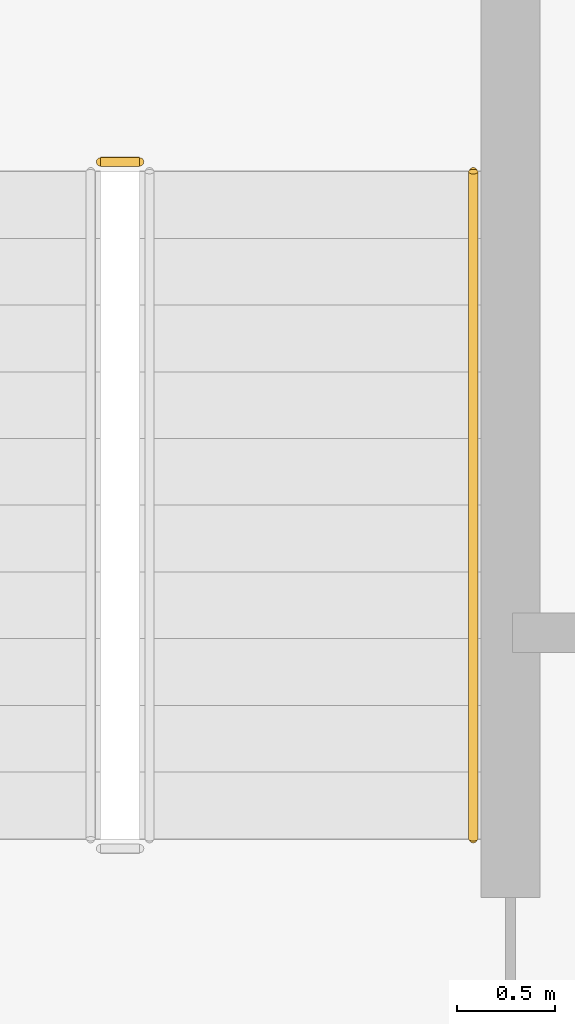
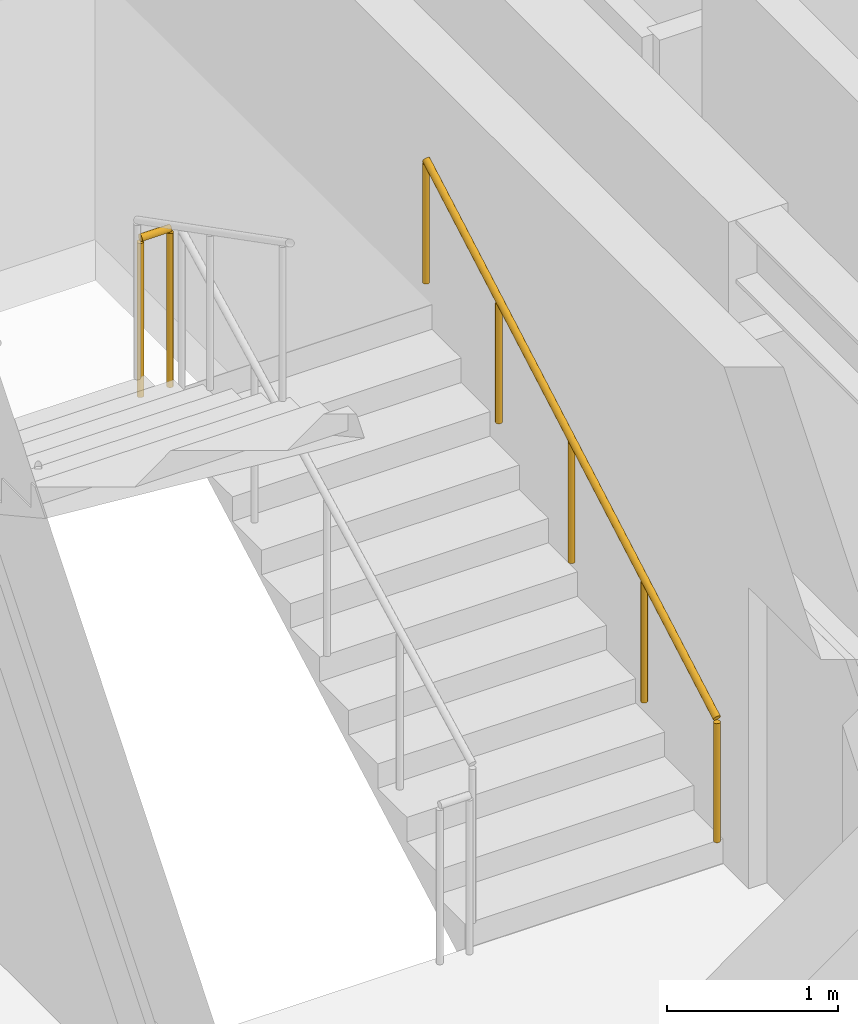
# One storey, part 39 of 40: 2 railings.
"""IFC4 building model written with IfcOpenShell, lengths in metres."""

from ifc_helpers import new_model, si_unit, direction, frame, origin, origin_2d, place, context, subcontext, project, spatial, circle, extrude, material, type_object, element, save


model = new_model("IFC4")

# Units and contexts
model_context = context("Model", 3, precision=1e-05, world=origin(), true_north=direction((0.0, 1.0)))
body_context = subcontext(model_context, "Body", "Model", "MODEL_VIEW")
ifc_project = project(units=[si_unit("LENGTHUNIT", "METRE"), si_unit("AREAUNIT", "SQUARE_METRE"), si_unit("VOLUMEUNIT", "CUBIC_METRE"), si_unit("PLANEANGLEUNIT", "RADIAN"), si_unit("MASSUNIT", "GRAM", prefix="KILO")], contexts=[model_context])

# Site, building, storey
site_placement = place(None, origin())
site = spatial("IfcSite", under=ifc_project, at=site_placement, CompositionType="ELEMENT")
building_placement = place(site_placement, origin())
building = spatial("IfcBuilding", under=site, at=building_placement, Name="Nahalor Promenade Grand Hotel", CompositionType="ELEMENT")
storey_placement = place(building_placement, frame((0.0, 0.0, 288.800048828125)))
storey = spatial("IfcBuildingStorey", under=building, at=storey_placement, Name="L74", CompositionType="ELEMENT", Elevation=288.800048828125)

# Railings
ifc_material = material(Name="Steel S355JR", Category="steel")
railing_type_1 = type_object("IfcRailingType", Name="Steel Stair Guardrail 1150 mm", PredefinedType="GUARDRAIL", material=ifc_material)
railing_1_placement = place(storey_placement, frame((5.699951171875, 11.550048828125, 1.925048828125)))
element("IfcRailing", 1, at=railing_1_placement, inside=storey, type_object=railing_type_1, Name="L74 ST1 stair guard 2", PredefinedType="GUARDRAIL", context=body_context, shape_type="SweptSolid", body=[
    extrude(circle(Radius=0.024048, at=origin_2d()), frame((0.0, 0.0, 1.1259765625), z_axis=(-1.0, 0.0, 0.0), x_axis=(0.0, -1.0, 0.0)), (0.0, 0.0, 1.0), 0.199951171875),
    extrude(circle(Radius=0.020996, at=origin_2d()), origin(), (0.0, 0.0, 1.0), 1.099853515625),
    extrude(circle(Radius=0.020996, at=origin_2d()), frame((-0.199951171875, 0.0, 0.0)), (0.0, 0.0, 1.0), 1.099853515625),
])
railing_type_2 = type_object("IfcRailingType", Name="Steel Stair Handrail 900 mm", PredefinedType="HANDRAIL", material=ifc_material)
railing_2_placement = place(storey_placement, frame((7.39990234375, 8.10009765625, 0.175048828125)))
element("IfcRailing", 2, at=railing_2_placement, inside=storey, type_object=railing_type_2, Name="L74 ST1 stair handrail 1", PredefinedType="HANDRAIL", context=body_context, shape_type="SweptSolid", body=[
    extrude(circle(Radius=0.024048, at=origin_2d()), frame((0.0, 0.0, 0.8759765625), z_axis=(0.0, 0.870220461208, 0.492662510137), x_axis=(-1.0, 0.0, 0.0)), (0.0, 0.0, 1.0), 3.906982421875),
    extrude(circle(Radius=0.020996, at=origin_2d()), origin(), (0.0, 0.0, 1.0), 0.849853515625),
    extrude(circle(Radius=0.020996, at=origin_2d()), frame((0.0, 0.85009765625, 0.481201171875)), (0.0, 0.0, 1.0), 0.849853515625),
    extrude(circle(Radius=0.020996, at=origin_2d()), frame((0.0, 1.699951171875, 0.96240234375)), (0.0, 0.0, 1.0), 0.849853515625),
    extrude(circle(Radius=0.020996, at=origin_2d()), frame((0.0, 2.5498046875, 1.443603515625)), (0.0, 0.0, 1.0), 0.849853515625),
    extrude(circle(Radius=0.020996, at=origin_2d()), frame((0.0, 3.39990234375, 1.9248046875)), (0.0, 0.0, 1.0), 0.849853515625),
])

save(model, "model.ifc")
